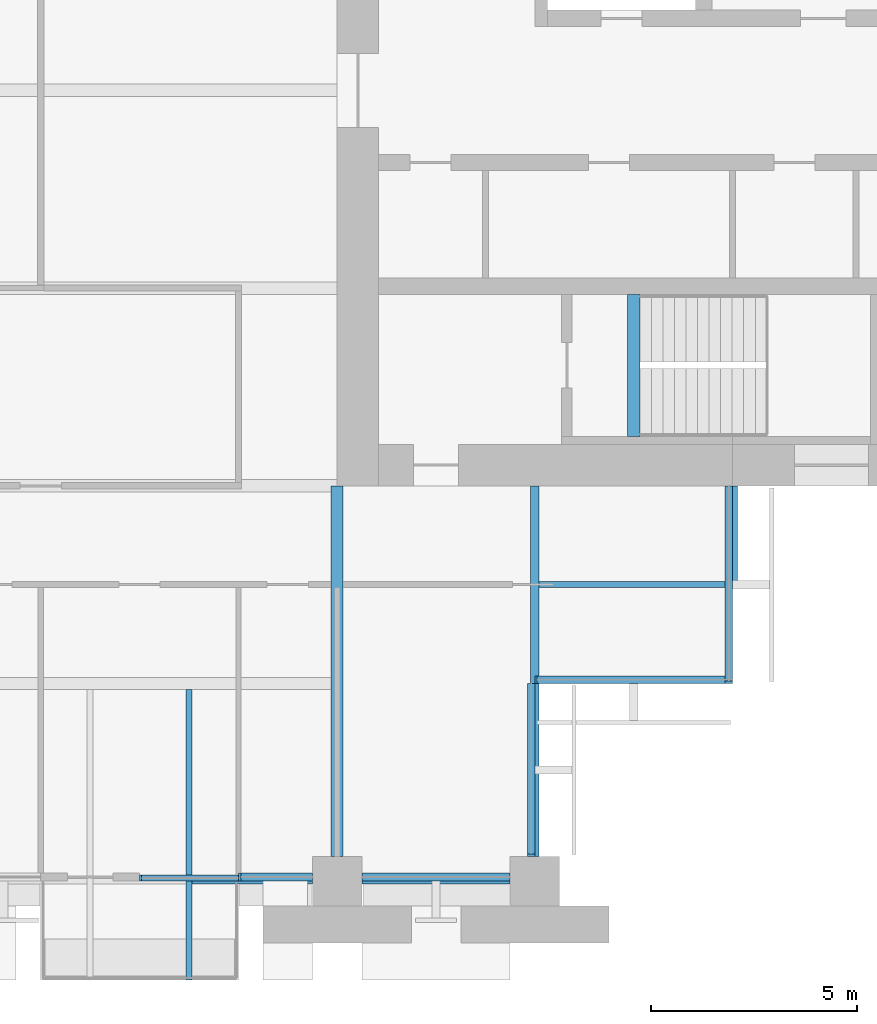
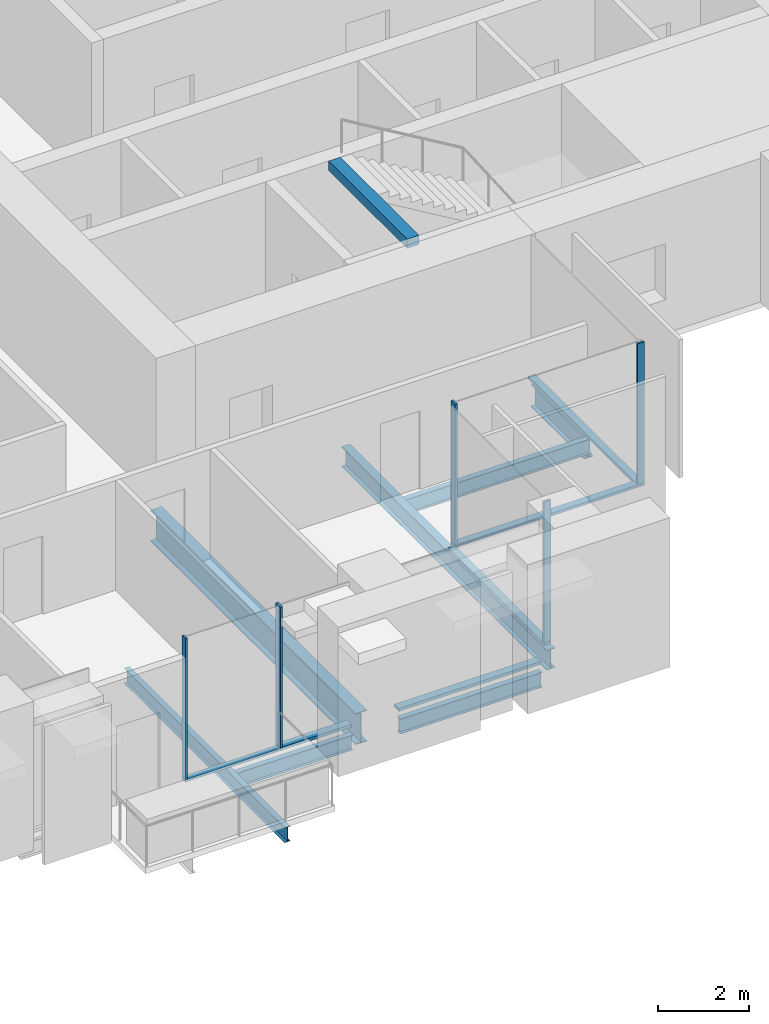
# One storey, part 4 of 15: 11 members, 8 beams, 5 elements without a shape of their own.
"""IFC4 building model written with IfcOpenShell, lengths in metres."""

from ifc_helpers import new_model, si_unit, direction, frame, origin, origin_2d, place, context, subcontext, project, spatial, rectangle, i_section, extrude, material, material_profile, profile_set, type_object, element, aggregate, save


model = new_model("IFC4")

# Units and contexts
model_context = context("Model", 3, precision=1e-05, world=origin(), true_north=direction((0.0, 1.0)))
body_context = subcontext(model_context, "Body", "Model", "MODEL_VIEW")
ifc_project = project(units=[si_unit("LENGTHUNIT", "METRE"), si_unit("AREAUNIT", "SQUARE_METRE"), si_unit("VOLUMEUNIT", "CUBIC_METRE"), si_unit("PLANEANGLEUNIT", "RADIAN"), si_unit("MASSUNIT", "GRAM", prefix="KILO")], contexts=[model_context])

# Site, building, storey
site_placement = place(None, origin())
site = spatial("IfcSite", under=ifc_project, at=site_placement, CompositionType="ELEMENT")
building_placement = place(site_placement, origin())
building = spatial("IfcBuilding", under=site, at=building_placement, Name="Baori Bourse Tower", CompositionType="ELEMENT")
storey_placement = place(building_placement, frame((0.0, 0.0, 164.10009765625)))
storey = spatial("IfcBuildingStorey", under=building, at=storey_placement, Name="L36", CompositionType="ELEMENT", Elevation=164.10009765625)

# Beam
ifc_material_1 = material(Name="Steel A992 Gr 50", Category="steel")
ifc_material_profile_1 = material_profile(ifc_material_1, i_section(OverallWidth=0.140380859375, OverallDepth=0.40380859375, WebThickness=0.007080078125, FlangeThickness=0.01123046875, at=origin_2d()), Name="W16x31")
ifc_profile_set_1 = profile_set([ifc_material_profile_1], Name="Steel A992 Gr 50")
beam_type_1 = type_object("IfcBeamType", Name="Balcony beam W16x31", PredefinedType="BEAM", material=ifc_profile_set_1)
beam_1_placement = place(storey_placement, frame((34.800048828125, -2.39990234375, -0.362060546875), z_axis=(0.0, 1.0, 0.0), x_axis=(-1.0, 0.0, 0.0)))
element("IfcBeam", 1, at=beam_1_placement, inside=storey, type_object=beam_type_1, Name="Balcony beam L36", PredefinedType="BEAM", context=body_context, shape_type="SweptSolid", body=[
    extrude(i_section(OverallWidth=0.140380859375, OverallDepth=0.40380859375, WebThickness=0.007080078125, FlangeThickness=0.01123046875, at=origin_2d()), origin(), (0.0, 0.0, 1.0), 7.050048828125),
])

# Curtain wall, members
ifc_material_2 = material(Name="Pale anodised aluminium", Category="aluminium")
curtain_wall_type_1 = type_object("IfcCurtainWallType", Name="CW1 Curtain wall", PredefinedType="NOTDEFINED", material=ifc_material_2)
curtain_wall_1_placement = place(storey_placement, origin())
curtain_wall_1 = element("IfcCurtainWall", 2, at=curtain_wall_1_placement, inside=storey, type_object=curtain_wall_type_1, Name="Curtain wall CW1 L36 15", PredefinedType="NOTDEFINED")
ifc_material_3 = material(Name="Pale anodised aluminium", Category="aluminium")
ifc_material_profile_2 = material_profile(ifc_material_3, rectangle(XDim=0.199951171875, YDim=0.06005859375, at=origin_2d()), Name="Mullion 60x200")
ifc_profile_set_2 = profile_set([ifc_material_profile_2], Name="Pale anodised aluminium")
member_type_1 = type_object("IfcMemberType", Name="CW1 Curtain wall mullion", PredefinedType="MULLION", material=ifc_profile_set_2)
member_1_placement = place(storey_placement, frame((36.030029296875, 0.10009765625, 0.079833984375), z_axis=(0.0, 0.0, 1.0), x_axis=(0.0, 1.0, 0.0)))
member_1 = element("IfcMember", 3, at=member_1_placement, type_object=member_type_1, Name="Curtain wall CW1 mullion", PredefinedType="MULLION", context=body_context, shape_type="SweptSolid", body=[
    extrude(rectangle(XDim=0.199951171875, YDim=0.06005859375, at=origin_2d()), origin(), (0.0, 0.0, 1.0), 3.760009765625),
])
ifc_material_4 = material(Name="Pale anodised aluminium", Category="aluminium")
ifc_material_profile_3 = material_profile(ifc_material_4, rectangle(XDim=0.199951171875, YDim=0.080078125, at=origin_2d()), Name="Transom 80x200")
ifc_profile_set_3 = profile_set([ifc_material_profile_3], Name="Pale anodised aluminium")
member_type_2 = type_object("IfcMemberType", Name="CW1 Curtain wall transom", PredefinedType="USERDEFINED", material=ifc_profile_set_3)
member_2_placement = place(storey_placement, frame((36.0, 0.10009765625, 0.039794921875), z_axis=(1.0, 0.0, 0.0), x_axis=(0.0, 1.0, 0.0)))
member_2 = element("IfcMember", 4, at=member_2_placement, type_object=member_type_2, Name="Curtain wall CW1 sill rail", ObjectType="TRANSOM", PredefinedType="USERDEFINED", context=body_context, shape_type="SweptSolid", body=[
    extrude(rectangle(XDim=0.199951171875, YDim=0.080078125, at=origin_2d()), origin(), (0.0, 0.0, 1.0), 1.800048828125),
])
member_3_placement = place(storey_placement, frame((39.0, 0.10009765625, 0.039794921875), z_axis=(1.0, 0.0, 0.0), x_axis=(0.0, 1.0, 0.0)))
member_3 = element("IfcMember", 5, at=member_3_placement, type_object=member_type_2, Name="Curtain wall CW1 sill rail", ObjectType="TRANSOM", PredefinedType="USERDEFINED", context=body_context, shape_type="SweptSolid", body=[
    extrude(rectangle(XDim=0.199951171875, YDim=0.080078125, at=origin_2d()), origin(), (0.0, 0.0, 1.0), 3.60009765625),
])
aggregate(curtain_wall_1, [member_2, member_1, member_3])

# Curtain wall, member
ifc_material_5 = material(Name="Pale anodised aluminium", Category="aluminium")
curtain_wall_type_2 = type_object("IfcCurtainWallType", Name="CW2 Curtain wall", PredefinedType="NOTDEFINED", material=ifc_material_5)
curtain_wall_2_placement = place(storey_placement, origin())
curtain_wall_2 = element("IfcCurtainWall", 6, at=curtain_wall_2_placement, inside=storey, type_object=curtain_wall_type_2, Name="Curtain wall CW2 L36 16", PredefinedType="NOTDEFINED")
ifc_material_6 = material(Name="Pale anodised aluminium", Category="aluminium")
ifc_material_profile_4 = material_profile(ifc_material_6, rectangle(XDim=0.179931640625, YDim=0.054931640625, at=origin_2d()), Name="Mullion 55x180")
ifc_profile_set_4 = profile_set([ifc_material_profile_4], Name="Pale anodised aluminium")
member_type_3 = type_object("IfcMemberType", Name="CW2 Curtain wall mullion", PredefinedType="MULLION", material=ifc_profile_set_4)
member_4_placement = place(storey_placement, frame((43.110107421875, 0.62744140625, 0.06982421875), z_axis=(0.0, 0.0, 1.0), x_axis=(-1.0, 0.0, 0.0)))
member_4 = element("IfcMember", 7, at=member_4_placement, type_object=member_type_3, Name="Curtain wall CW2 mullion", PredefinedType="MULLION", context=body_context, shape_type="SweptSolid", body=[
    extrude(rectangle(XDim=0.179931640625, YDim=0.054931640625, at=origin_2d()), origin(), (0.0, 0.0, 1.0), 3.77001953125),
])

curtain_wall_3_placement = place(storey_placement, origin())
curtain_wall_3 = element("IfcCurtainWall", 8, at=curtain_wall_3_placement, inside=storey, type_object=curtain_wall_type_2, Name="Curtain wall CW2 L36 17", PredefinedType="NOTDEFINED")
member_5_placement = place(storey_placement, frame((43.2275390625, 4.889892578125, 0.06982421875), z_axis=(0.0, 0.0, 1.0), x_axis=(0.0, 1.0, 0.0)))
member_5 = element("IfcMember", 9, at=member_5_placement, type_object=member_type_3, Name="Curtain wall CW2 mullion", PredefinedType="MULLION", context=body_context, shape_type="SweptSolid", body=[
    extrude(rectangle(XDim=0.179931640625, YDim=0.054931640625, at=origin_2d()), origin(), (0.0, 0.0, 1.0), 3.77001953125),
])

curtain_wall_4_placement = place(storey_placement, origin())
curtain_wall_4 = element("IfcCurtainWall", 10, at=curtain_wall_4_placement, inside=storey, type_object=curtain_wall_type_2, Name="Curtain wall CW2 L36 18", PredefinedType="NOTDEFINED")
member_6_placement = place(storey_placement, frame((47.909912109375, 4.827392578125, 0.06982421875), z_axis=(0.0, 0.0, 1.0), x_axis=(-1.0, 0.0, 0.0)))
member_6 = element("IfcMember", 11, at=member_6_placement, type_object=member_type_3, Name="Curtain wall CW2 mullion", PredefinedType="MULLION", context=body_context, shape_type="SweptSolid", body=[
    extrude(rectangle(XDim=0.179931640625, YDim=0.054931640625, at=origin_2d()), origin(), (0.0, 0.0, 1.0), 3.77001953125),
])

# Member
ifc_material_7 = material(Name="Pale anodised aluminium", Category="aluminium")
ifc_material_profile_5 = material_profile(ifc_material_7, rectangle(XDim=0.179931640625, YDim=0.070068359375, at=origin_2d()), Name="Transom 70x180")
ifc_profile_set_5 = profile_set([ifc_material_profile_5], Name="Pale anodised aluminium")
member_type_4 = type_object("IfcMemberType", Name="CW2 Curtain wall transom", PredefinedType="USERDEFINED", material=ifc_profile_set_5)
member_7_placement = place(storey_placement, frame((43.110107421875, 0.60009765625, 0.034912109375), z_axis=(0.0, 1.0, 0.0), x_axis=(-1.0, 0.0, 0.0)))
member_7 = element("IfcMember", 12, at=member_7_placement, type_object=member_type_4, Name="Curtain wall CW2 sill rail", ObjectType="TRANSOM", PredefinedType="USERDEFINED", context=body_context, shape_type="SweptSolid", body=[
    extrude(rectangle(XDim=0.179931640625, YDim=0.070068359375, at=origin_2d()), origin(), (0.0, 0.0, 1.0), 4.199951171875),
])

aggregate(curtain_wall_2, [member_7, member_4])

member_8_placement = place(storey_placement, frame((43.199951171875, 4.889892578125, 0.034912109375), z_axis=(1.0, 0.0, 0.0), x_axis=(0.0, 1.0, 0.0)))
member_8 = element("IfcMember", 13, at=member_8_placement, type_object=member_type_4, Name="Curtain wall CW2 sill rail", ObjectType="TRANSOM", PredefinedType="USERDEFINED", context=body_context, shape_type="SweptSolid", body=[
    extrude(rectangle(XDim=0.179931640625, YDim=0.070068359375, at=origin_2d()), origin(), (0.0, 0.0, 1.0), 4.800048828125),
])

aggregate(curtain_wall_3, [member_8, member_5])

member_9_placement = place(storey_placement, frame((47.909912109375, 4.800048828125, 0.034912109375), z_axis=(0.0, 1.0, 0.0), x_axis=(-1.0, 0.0, 0.0)))
member_9 = element("IfcMember", 14, at=member_9_placement, type_object=member_type_4, Name="Curtain wall CW2 sill rail", ObjectType="TRANSOM", PredefinedType="USERDEFINED", context=body_context, shape_type="SweptSolid", body=[
    extrude(rectangle(XDim=0.179931640625, YDim=0.070068359375, at=origin_2d()), origin(), (0.0, 0.0, 1.0), 4.800048828125),
])

aggregate(curtain_wall_4, [member_9, member_6])

# Curtain wall, members
ifc_material_8 = material(Name="Pale anodised aluminium", Category="aluminium")
curtain_wall_type_3 = type_object("IfcCurtainWallType", Name="CW6 Curtain wall", PredefinedType="NOTDEFINED", material=ifc_material_8)
curtain_wall_5_placement = place(storey_placement, origin())
curtain_wall_5 = element("IfcCurtainWall", 15, at=curtain_wall_5_placement, inside=storey, type_object=curtain_wall_type_3, Name="Curtain wall CW6 L36 14", PredefinedType="NOTDEFINED")
ifc_material_9 = material(Name="Pale anodised aluminium", Category="aluminium")
ifc_material_profile_6 = material_profile(ifc_material_9, rectangle(XDim=0.14990234375, YDim=0.050048828125, at=origin_2d()), Name="Mullion 50x150")
ifc_profile_set_6 = profile_set([ifc_material_profile_6], Name="Pale anodised aluminium")
member_type_5 = type_object("IfcMemberType", Name="CW6 Curtain wall mullion", PredefinedType="MULLION", material=ifc_profile_set_6)
member_10_placement = place(storey_placement, frame((33.625, 0.074951171875, 0.06494140625), z_axis=(0.0, 0.0, 1.0), x_axis=(0.0, 1.0, 0.0)))
member_10 = element("IfcMember", 16, at=member_10_placement, type_object=member_type_5, Name="Curtain wall CW6 mullion", PredefinedType="MULLION", context=body_context, shape_type="SweptSolid", body=[
    extrude(rectangle(XDim=0.14990234375, YDim=0.050048828125, at=origin_2d()), origin(), (0.0, 0.0, 1.0), 3.77490234375),
])
ifc_material_10 = material(Name="Pale anodised aluminium", Category="aluminium")
ifc_material_profile_7 = material_profile(ifc_material_10, rectangle(XDim=0.14990234375, YDim=0.06494140625, at=origin_2d()), Name="Transom 65x150")
ifc_profile_set_7 = profile_set([ifc_material_profile_7], Name="Pale anodised aluminium")
member_type_6 = type_object("IfcMemberType", Name="CW6 Curtain wall transom", PredefinedType="USERDEFINED", material=ifc_profile_set_7)
member_11_placement = place(storey_placement, frame((33.60009765625, 0.074951171875, 0.032470703125), z_axis=(1.0, 0.0, 0.0), x_axis=(0.0, 1.0, 0.0)))
member_11 = element("IfcMember", 17, at=member_11_placement, type_object=member_type_6, Name="Curtain wall CW6 sill rail", ObjectType="TRANSOM", PredefinedType="USERDEFINED", context=body_context, shape_type="SweptSolid", body=[
    extrude(rectangle(XDim=0.14990234375, YDim=0.06494140625, at=origin_2d()), origin(), (0.0, 0.0, 1.0), 2.39990234375),
])
aggregate(curtain_wall_5, [member_11, member_10])

# Beams
ifc_material_11 = material(Name="Steel A992 Gr 50", Category="steel")
ifc_material_profile_8 = material_profile(ifc_material_11, i_section(OverallWidth=0.227783203125, OverallDepth=0.60205078125, WebThickness=0.010498046875, FlangeThickness=0.014892578125, at=origin_2d()), Name="W24x68")
ifc_profile_set_8 = profile_set([ifc_material_profile_8], Name="Steel A992 Gr 50")
beam_type_2 = type_object("IfcBeamType", Name="Core bracket W24x68", PredefinedType="BEAM", material=ifc_profile_set_8)
beam_2_placement = place(storey_placement, frame((48.0, 7.270263671875, -0.461181640625), z_axis=(0.0, 1.0, 0.0), x_axis=(-1.0, 0.0, 0.0)))
element("IfcBeam", 18, at=beam_2_placement, inside=storey, type_object=beam_type_2, Name="Core bracket L36", PredefinedType="BEAM", context=body_context, shape_type="SweptSolid", body=[
    extrude(i_section(OverallWidth=0.227783203125, OverallDepth=0.60205078125, WebThickness=0.010498046875, FlangeThickness=0.014892578125, at=origin_2d()), origin(), (0.0, 0.0, 1.0), 2.329833984375),
])
ifc_material_12 = material(Name="Steel A992 Gr 50", Category="steel")
ifc_material_profile_9 = material_profile(ifc_material_12, i_section(OverallWidth=0.140380859375, OverallDepth=0.40380859375, WebThickness=0.007080078125, FlangeThickness=0.01123046875, at=origin_2d()), Name="W16x31")
ifc_profile_set_9 = profile_set([ifc_material_profile_9], Name="Steel A992 Gr 50")
beam_type_3 = type_object("IfcBeamType", Name="Edge beam W16x31", PredefinedType="BEAM", material=ifc_profile_set_9)
beam_3_placement = place(storey_placement, frame((34.8701171875, 0.0, -0.362060546875), z_axis=(1.0, 0.0, 0.0), x_axis=(0.0, 1.0, 0.0)))
element("IfcBeam", 19, at=beam_3_placement, inside=storey, type_object=beam_type_3, Name="Edge beam L36", PredefinedType="BEAM", context=body_context, shape_type="SweptSolid", body=[
    extrude(i_section(OverallWidth=0.140380859375, OverallDepth=0.40380859375, WebThickness=0.007080078125, FlangeThickness=0.01123046875, at=origin_2d()), origin(), (0.0, 0.0, 1.0), 2.929931640625),
])
beam_4_placement = place(storey_placement, frame((39.0, 0.0, -0.362060546875), z_axis=(1.0, 0.0, 0.0), x_axis=(0.0, 1.0, 0.0)))
element("IfcBeam", 20, at=beam_4_placement, inside=storey, type_object=beam_type_3, Name="Edge beam L36", PredefinedType="BEAM", context=body_context, shape_type="SweptSolid", body=[
    extrude(i_section(OverallWidth=0.140380859375, OverallDepth=0.40380859375, WebThickness=0.007080078125, FlangeThickness=0.01123046875, at=origin_2d()), origin(), (0.0, 0.0, 1.0), 3.60009765625),
])
ifc_material_13 = material(Name="Steel A992 Gr 50", Category="steel")
ifc_material_profile_10 = material_profile(ifc_material_13, i_section(OverallWidth=0.209228515625, OverallDepth=0.533447265625, WebThickness=0.01025390625, FlangeThickness=0.015625, at=origin_2d()), Name="W21x62")
ifc_profile_set_10 = profile_set([ifc_material_profile_10], Name="Steel A992 Gr 50")
beam_type_4 = type_object("IfcBeamType", Name="Floor beam W21x62", PredefinedType="BEAM", material=ifc_profile_set_10)
beam_5_placement = place(storey_placement, frame((43.199951171875, 0.60009765625, -0.4267578125), z_axis=(0.0, 1.0, 0.0), x_axis=(-1.0, 0.0, 0.0)))
element("IfcBeam", 21, at=beam_5_placement, inside=storey, type_object=beam_type_4, Name="Floor beam L36", PredefinedType="BEAM", context=body_context, shape_type="SweptSolid", body=[
    extrude(i_section(OverallWidth=0.209228515625, OverallDepth=0.533447265625, WebThickness=0.01025390625, FlangeThickness=0.015625, at=origin_2d()), origin(), (0.0, 0.0, 1.0), 9.0),
])
ifc_material_14 = material(Name="Steel A992 Gr 50", Category="steel")
ifc_material_profile_11 = material_profile(ifc_material_14, i_section(OverallWidth=0.2919921875, OverallDepth=0.835693359375, WebThickness=0.013916015625, FlangeThickness=0.018798828125, at=origin_2d()), Name="W33x118")
ifc_profile_set_11 = profile_set([ifc_material_profile_11], Name="Steel A992 Gr 50")
beam_type_5 = type_object("IfcBeamType", Name="Girder W33x118", PredefinedType="BEAM", material=ifc_profile_set_11)
beam_6_placement = place(storey_placement, frame((38.39990234375, 0.60009765625, -0.577880859375), z_axis=(0.0, 1.0, 0.0), x_axis=(-1.0, 0.0, 0.0)))
element("IfcBeam", 22, at=beam_6_placement, inside=storey, type_object=beam_type_5, Name="Girder L36", PredefinedType="BEAM", context=body_context, shape_type="SweptSolid", body=[
    extrude(i_section(OverallWidth=0.2919921875, OverallDepth=0.835693359375, WebThickness=0.013916015625, FlangeThickness=0.018798828125, at=origin_2d()), origin(), (0.0, 0.0, 1.0), 9.0),
])
ifc_material_15 = material(Name="Concrete f'c 50 MPa", Category="concrete")
ifc_material_profile_12 = material_profile(ifc_material_15, rectangle(XDim=0.300048828125, YDim=0.25, at=origin_2d()), Name="RC 300x250")
ifc_profile_set_12 = profile_set([ifc_material_profile_12], Name="Concrete f'c 50 MPa")
beam_type_6 = type_object("IfcBeamType", Name="Stair nib beam RC 300x250", PredefinedType="BEAM", material=ifc_profile_set_12)
beam_7_placement = place(storey_placement, frame((45.60009765625, 10.800048828125, 3.71484375), z_axis=(0.0, 1.0, 0.0), x_axis=(-1.0, 0.0, 0.0)))
element("IfcBeam", 23, at=beam_7_placement, inside=storey, type_object=beam_type_6, Name="Stair EA nib beam L37", PredefinedType="BEAM", context=body_context, shape_type="SweptSolid", body=[
    extrude(rectangle(XDim=0.300048828125, YDim=0.25, at=origin_2d()), origin(), (0.0, 0.0, 1.0), 3.449951171875),
])
ifc_material_16 = material(Name="Steel A992 Gr 50", Category="steel")
ifc_material_profile_13 = material_profile(ifc_material_16, i_section(OverallWidth=0.140380859375, OverallDepth=0.40380859375, WebThickness=0.007080078125, FlangeThickness=0.01123046875, at=origin_2d()), Name="W16x31")
ifc_profile_set_13 = profile_set([ifc_material_profile_13], Name="Steel A992 Gr 50")
beam_type_7 = type_object("IfcBeamType", Name="Trimmer beam W16x31", PredefinedType="BEAM", material=ifc_profile_set_13)
beam_8_placement = place(storey_placement, frame((43.3046875, 7.199951171875, -0.362060546875), z_axis=(1.0, 0.0, 0.0), x_axis=(0.0, 1.0, 0.0)))
element("IfcBeam", 24, at=beam_8_placement, inside=storey, type_object=beam_type_7, Name="Trimmer beam L36", PredefinedType="BEAM", context=body_context, shape_type="SweptSolid", body=[
    extrude(i_section(OverallWidth=0.140380859375, OverallDepth=0.40380859375, WebThickness=0.007080078125, FlangeThickness=0.01123046875, at=origin_2d()), origin(), (0.0, 0.0, 1.0), 4.6953125),
])

save(model, "model.ifc")
